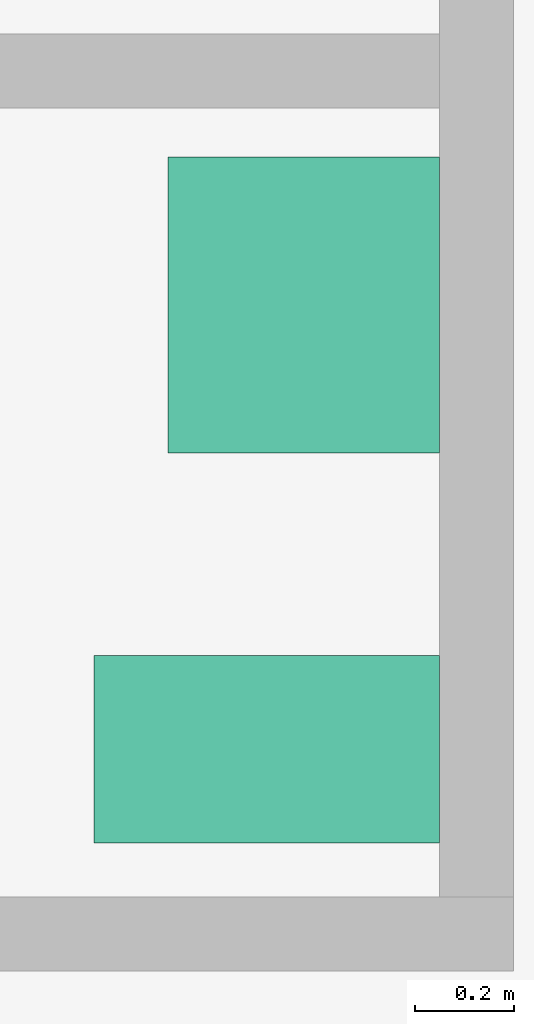
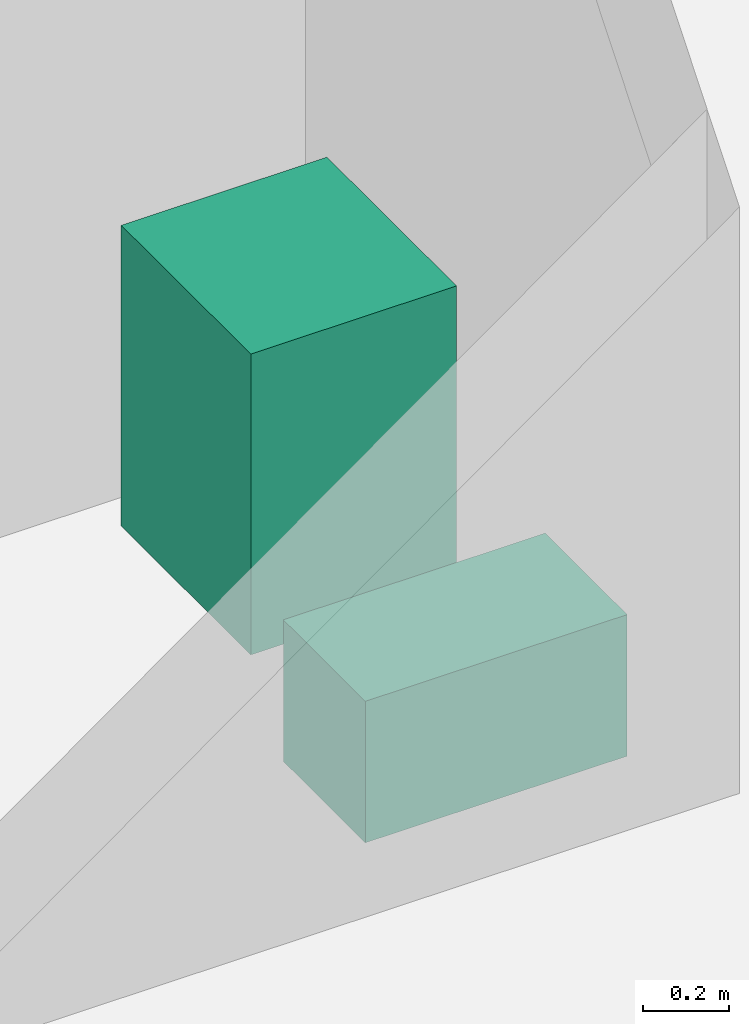
# One storey, part 13 of 13: 2 sanitary terminals.
"""IFC4 building model written with IfcOpenShell, lengths in metres."""

from ifc_helpers import new_model, si_unit, direction, frame, origin, origin_2d, place, context, subcontext, project, spatial, rectangle, extrude, material, element, save


model = new_model("IFC4")

# Units and contexts
model_context = context("Model", 3, precision=1e-05, world=origin(), true_north=direction((0.0, 1.0)))
body_context = subcontext(model_context, "Body", "Model", "MODEL_VIEW")
ifc_project = project(units=[si_unit("LENGTHUNIT", "METRE"), si_unit("AREAUNIT", "SQUARE_METRE"), si_unit("VOLUMEUNIT", "CUBIC_METRE"), si_unit("PLANEANGLEUNIT", "RADIAN"), si_unit("MASSUNIT", "GRAM", prefix="KILO")], contexts=[model_context])

# Site, building, storey
site_placement = place(None, origin())
site = spatial("IfcSite", under=ifc_project, at=site_placement, CompositionType="ELEMENT")
building_placement = place(site_placement, origin())
building = spatial("IfcBuilding", under=site, at=building_placement, Name="Kopane Lantern Tower", CompositionType="ELEMENT")
storey_placement = place(building_placement, frame((0.0, 0.0, 113.60009765625)))
storey = spatial("IfcBuildingStorey", under=building, at=storey_placement, Name="L28", CompositionType="ELEMENT", Elevation=113.60009765625)

# Sanitary terminals
ifc_material = material(Name="Vitreous china")
sanitary_terminal_1_placement = place(storey_placement, frame((34.550048828125, 28.35009765625, 0.0), z_axis=(0.0, 0.0, 1.0), x_axis=(1.0, 0.0, 0.0)))
element("IfcSanitaryTerminal", 1, at=sanitary_terminal_1_placement, inside=storey, material=ifc_material, Name="WC pan L28", PredefinedType="TOILETPAN", context=body_context, shape_type="SweptSolid", body=[
    extrude(rectangle(XDim=0.699951171875, YDim=0.3798828125, at=origin_2d()), origin(), (0.0, 0.0, 1.0), 0.39990234375),
])
sanitary_terminal_2_placement = place(storey_placement, frame((34.625, 29.25, -0.000244140625), z_axis=(0.0, 0.0, 1.0), x_axis=(1.0, 0.0, 0.0)))
element("IfcSanitaryTerminal", 2, at=sanitary_terminal_2_placement, inside=storey, material=ifc_material, Name="Wash basin L28", PredefinedType="WASHHANDBASIN", context=body_context, shape_type="SweptSolid", body=[
    extrude(rectangle(XDim=0.550048828125, YDim=0.60009765625, at=origin_2d()), origin(), (0.0, 0.0, 1.0), 0.85009765625),
])

save(model, "model.ifc")
